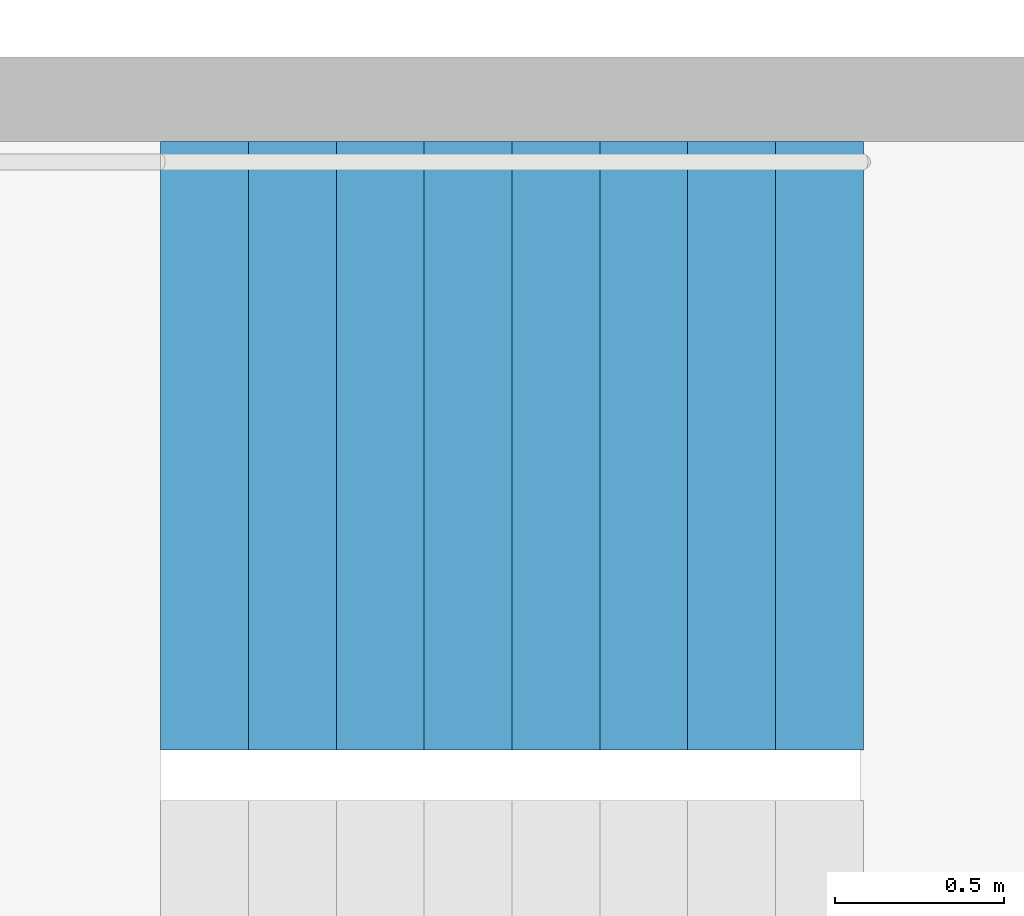
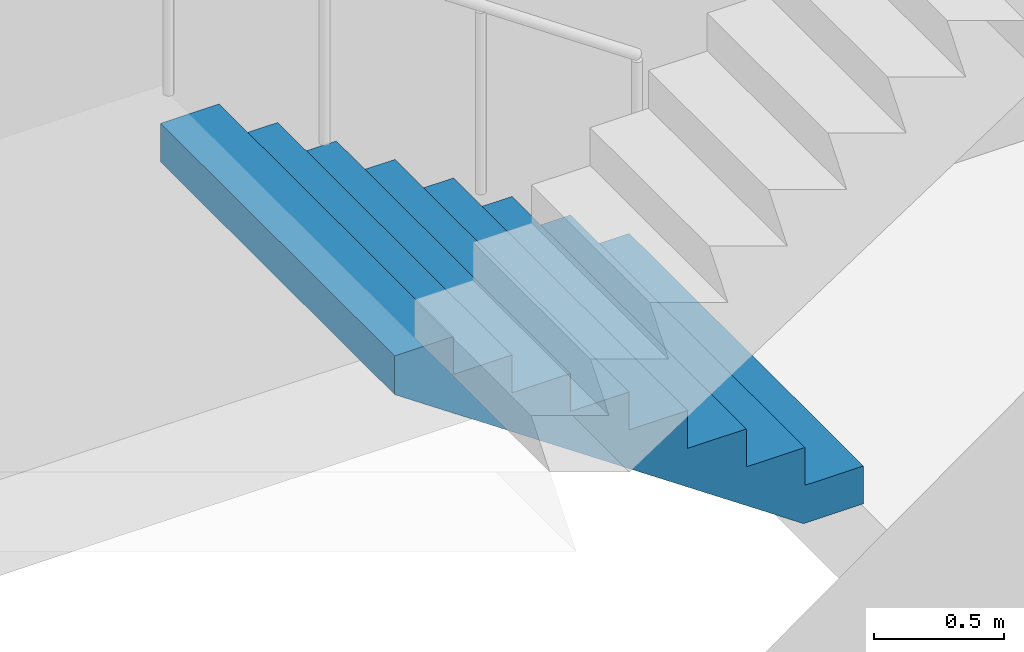
# One storey, part 20 of 27: 1 stair flight, 1 element without a shape of its own.
"""IFC4 building model written with IfcOpenShell, lengths in metres."""

from ifc_helpers import new_model, si_unit, direction, frame, origin, place, context, subcontext, project, spatial, triangles, material, type_object, element, aggregate, save


model = new_model("IFC4")

# Units and contexts
model_context = context("Model", 3, precision=1e-05, world=origin(), true_north=direction((0.0, 1.0)))
body_context = subcontext(model_context, "Body", "Model", "MODEL_VIEW")
ifc_project = project(units=[si_unit("LENGTHUNIT", "METRE"), si_unit("AREAUNIT", "SQUARE_METRE"), si_unit("VOLUMEUNIT", "CUBIC_METRE"), si_unit("PLANEANGLEUNIT", "RADIAN"), si_unit("MASSUNIT", "GRAM", prefix="KILO")], contexts=[model_context])

# Site, building, storey
site_placement = place(None, origin())
site = spatial("IfcSite", under=ifc_project, at=site_placement, CompositionType="ELEMENT")
building_placement = place(site_placement, origin())
building = spatial("IfcBuilding", under=site, at=building_placement, Name="Hakoniwa Tower and Hamabe Station Hall", CompositionType="ELEMENT")
storey_placement = place(building_placement, frame((0.0, 0.0, 239.0)))
storey = spatial("IfcBuildingStorey", under=building, at=storey_placement, Name="L67", CompositionType="ELEMENT", Elevation=239.0)

# Stair, stair flight
ifc_material_1 = material(Name="Concrete C40", Category="concrete")
stair_type = type_object("IfcStairType", Name="ESCAPE STAIR 1800", PredefinedType="HALF_TURN_STAIR", material=ifc_material_1)
stair_placement = place(storey_placement, origin())
stair = element("IfcStair", 1, at=stair_placement, inside=storey, type_object=stair_type, Name="Escape stair ST-2 L67", PredefinedType="HALF_TURN_STAIR")
ifc_material_2 = material(Name="Concrete C40", Category="concrete")
stair_flight_type = type_object("IfcStairFlightType", Name="STAIR FLIGHT 1800", PredefinedType="STRAIGHT", material=ifc_material_2)
stair_flight_placement = place(storey_placement, frame((-23.39990234375, -4.64990234375, 0.0), z_axis=(0.0, 0.0, 1.0), x_axis=(-1.0, 0.0, 0.0)))
stair_flight = element("IfcStairFlight", 2, at=stair_flight_placement, type_object=stair_flight_type, Name="ST-2 flight 1", NumberOfRisers=9, NumberOfTreads=8, PredefinedType="STRAIGHT", RiserHeight=0.177777778, TreadLength=0.26, context=body_context, shape_type="Tessellation", body=[
    triangles([(0.0, 0.89990234375, 0.0), (0.260009765625, 0.89990234375, 0.0), (0.265625, 0.89990234375, 0.0), (0.52001953125, 0.89990234375, 0.174072265625), (0.780029296875, 0.89990234375, 0.351806640625), (1.0400390625, 0.89990234375, 0.529541015625), (1.300048828125, 0.89990234375, 0.707275390625), (1.56005859375, 0.89990234375, 0.885009765625), (1.820068359375, 0.89990234375, 1.062744140625), (2.080078125, 0.89990234375, 1.24072265625), (2.080078125, 0.89990234375, 1.422119140625), (1.820068359375, 0.89990234375, 1.422119140625), (1.820068359375, 0.89990234375, 1.244384765625), (1.56005859375, 0.89990234375, 1.244384765625), (1.56005859375, 0.89990234375, 1.066650390625), (1.300048828125, 0.89990234375, 1.066650390625), (1.300048828125, 0.89990234375, 0.888916015625), (1.0400390625, 0.89990234375, 0.888916015625), (1.0400390625, 0.89990234375, 0.711181640625), (0.780029296875, 0.89990234375, 0.711181640625), (0.780029296875, 0.89990234375, 0.533447265625), (0.52001953125, 0.89990234375, 0.533447265625), (0.52001953125, 0.89990234375, 0.35546875), (0.265625, 0.89990234375, 0.35546875), (0.260009765625, 0.89990234375, 0.35546875), (0.260009765625, 0.89990234375, 0.177734375), (0.0, 0.89990234375, 0.177734375), (0.0, 0.06005859375, 0.0), (0.260009765625, 0.06005859375, 0.0), (0.265625, 0.06005859375, 0.0), (0.52001953125, 0.06005859375, 0.174072265625), (0.780029296875, 0.06005859375, 0.351806640625), (1.0400390625, 0.06005859375, 0.529541015625), (1.300048828125, 0.06005859375, 0.707275390625), (1.56005859375, 0.06005859375, 0.885009765625), (1.820068359375, 0.06005859375, 1.062744140625), (2.080078125, 0.06005859375, 1.24072265625), (2.080078125, 0.06005859375, 1.422119140625), (1.820068359375, 0.06005859375, 1.422119140625), (1.820068359375, 0.06005859375, 1.244384765625), (1.56005859375, 0.06005859375, 1.244384765625), (1.56005859375, 0.06005859375, 1.066650390625), (1.300048828125, 0.06005859375, 1.066650390625), (1.300048828125, 0.06005859375, 0.888916015625), (1.0400390625, 0.06005859375, 0.888916015625), (1.0400390625, 0.06005859375, 0.711181640625), (0.780029296875, 0.06005859375, 0.711181640625), (0.780029296875, 0.06005859375, 0.533447265625), (0.52001953125, 0.06005859375, 0.533447265625), (0.52001953125, 0.06005859375, 0.35546875), (0.265625, 0.06005859375, 0.35546875), (0.260009765625, 0.06005859375, 0.35546875), (0.260009765625, 0.06005859375, 0.177734375), (0.0, 0.06005859375, 0.177734375), (0.0, 0.04296875, 0.0), (0.260009765625, 0.04296875, 0.0), (0.265625, 0.04296875, 0.0), (0.52001953125, 0.04296875, 0.174072265625), (0.780029296875, 0.04296875, 0.351806640625), (1.0400390625, 0.04296875, 0.529541015625), (1.300048828125, 0.04296875, 0.707275390625), (1.56005859375, 0.04296875, 0.885009765625), (1.820068359375, 0.04296875, 1.062744140625), (2.080078125, 0.04296875, 1.24072265625), (2.080078125, 0.04296875, 1.422119140625), (1.820068359375, 0.04296875, 1.422119140625), (1.820068359375, 0.04296875, 1.244384765625), (1.56005859375, 0.04296875, 1.244384765625), (1.56005859375, 0.04296875, 1.066650390625), (1.300048828125, 0.04296875, 1.066650390625), (1.300048828125, 0.04296875, 0.888916015625), (1.0400390625, 0.04296875, 0.888916015625), (1.0400390625, 0.04296875, 0.711181640625), (0.780029296875, 0.04296875, 0.711181640625), (0.780029296875, 0.04296875, 0.533447265625), (0.52001953125, 0.04296875, 0.533447265625), (0.52001953125, 0.04296875, 0.35546875), (0.265625, 0.04296875, 0.35546875), (0.260009765625, 0.04296875, 0.35546875), (0.260009765625, 0.04296875, 0.177734375), (0.0, 0.04296875, 0.177734375), (0.0, 0.025634765625, 0.0), (0.260009765625, 0.025634765625, 0.0), (0.265625, 0.025634765625, 0.0), (0.52001953125, 0.025634765625, 0.174072265625), (0.780029296875, 0.025634765625, 0.351806640625), (1.0400390625, 0.025634765625, 0.529541015625), (1.300048828125, 0.025634765625, 0.707275390625), (1.56005859375, 0.025634765625, 0.885009765625), (1.820068359375, 0.025634765625, 1.062744140625), (2.080078125, 0.025634765625, 1.24072265625), (2.080078125, 0.025634765625, 1.422119140625), (1.820068359375, 0.025634765625, 1.422119140625), (1.820068359375, 0.025634765625, 1.244384765625), (1.56005859375, 0.025634765625, 1.244384765625), (1.56005859375, 0.025634765625, 1.066650390625), (1.300048828125, 0.025634765625, 1.066650390625), (1.300048828125, 0.025634765625, 0.888916015625), (1.0400390625, 0.025634765625, 0.888916015625), (1.0400390625, 0.025634765625, 0.711181640625), (0.780029296875, 0.025634765625, 0.711181640625), (0.780029296875, 0.025634765625, 0.533447265625), (0.52001953125, 0.025634765625, 0.533447265625), (0.52001953125, 0.025634765625, 0.35546875), (0.265625, 0.025634765625, 0.35546875), (0.260009765625, 0.025634765625, 0.35546875), (0.260009765625, 0.025634765625, 0.177734375), (0.0, 0.025634765625, 0.177734375), (0.0, 0.008544921875, 0.0), (0.260009765625, 0.008544921875, 0.0), (0.265625, 0.008544921875, 0.0), (0.52001953125, 0.008544921875, 0.174072265625), (0.780029296875, 0.008544921875, 0.351806640625), (1.0400390625, 0.008544921875, 0.529541015625), (1.300048828125, 0.008544921875, 0.707275390625), (1.56005859375, 0.008544921875, 0.885009765625), (1.820068359375, 0.008544921875, 1.062744140625), (2.080078125, 0.008544921875, 1.24072265625), (2.080078125, 0.008544921875, 1.422119140625), (1.820068359375, 0.008544921875, 1.422119140625), (1.820068359375, 0.008544921875, 1.244384765625), (1.56005859375, 0.008544921875, 1.244384765625), (1.56005859375, 0.008544921875, 1.066650390625), (1.300048828125, 0.008544921875, 1.066650390625), (1.300048828125, 0.008544921875, 0.888916015625), (1.0400390625, 0.008544921875, 0.888916015625), (1.0400390625, 0.008544921875, 0.711181640625), (0.780029296875, 0.008544921875, 0.711181640625), (0.780029296875, 0.008544921875, 0.533447265625), (0.52001953125, 0.008544921875, 0.533447265625), (0.52001953125, 0.008544921875, 0.35546875), (0.265625, 0.008544921875, 0.35546875), (0.260009765625, 0.008544921875, 0.35546875), (0.260009765625, 0.008544921875, 0.177734375), (0.0, 0.008544921875, 0.177734375), (0.0, -0.008544921875, 0.0), (0.260009765625, -0.008544921875, 0.0), (0.265625, -0.008544921875, 0.0), (0.52001953125, -0.008544921875, 0.174072265625), (0.780029296875, -0.008544921875, 0.351806640625), (1.0400390625, -0.008544921875, 0.529541015625), (1.300048828125, -0.008544921875, 0.707275390625), (1.56005859375, -0.008544921875, 0.885009765625), (1.820068359375, -0.008544921875, 1.062744140625), (2.080078125, -0.008544921875, 1.24072265625), (2.080078125, -0.008544921875, 1.422119140625), (1.820068359375, -0.008544921875, 1.422119140625), (1.820068359375, -0.008544921875, 1.244384765625), (1.56005859375, -0.008544921875, 1.244384765625), (1.56005859375, -0.008544921875, 1.066650390625), (1.300048828125, -0.008544921875, 1.066650390625), (1.300048828125, -0.008544921875, 0.888916015625), (1.0400390625, -0.008544921875, 0.888916015625), (1.0400390625, -0.008544921875, 0.711181640625), (0.780029296875, -0.008544921875, 0.711181640625), (0.780029296875, -0.008544921875, 0.533447265625), (0.52001953125, -0.008544921875, 0.533447265625), (0.52001953125, -0.008544921875, 0.35546875), (0.265625, -0.008544921875, 0.35546875), (0.260009765625, -0.008544921875, 0.35546875), (0.260009765625, -0.008544921875, 0.177734375), (0.0, -0.008544921875, 0.177734375), (0.0, -0.025634765625, 0.0), (0.260009765625, -0.025634765625, 0.0), (0.265625, -0.025634765625, 0.0), (0.52001953125, -0.025634765625, 0.174072265625), (0.780029296875, -0.025634765625, 0.351806640625), (1.0400390625, -0.025634765625, 0.529541015625), (1.300048828125, -0.025634765625, 0.707275390625), (1.56005859375, -0.025634765625, 0.885009765625), (1.820068359375, -0.025634765625, 1.062744140625), (2.080078125, -0.025634765625, 1.24072265625), (2.080078125, -0.025634765625, 1.422119140625), (1.820068359375, -0.025634765625, 1.422119140625), (1.820068359375, -0.025634765625, 1.244384765625), (1.56005859375, -0.025634765625, 1.244384765625), (1.56005859375, -0.025634765625, 1.066650390625), (1.300048828125, -0.025634765625, 1.066650390625), (1.300048828125, -0.025634765625, 0.888916015625), (1.0400390625, -0.025634765625, 0.888916015625), (1.0400390625, -0.025634765625, 0.711181640625), (0.780029296875, -0.025634765625, 0.711181640625), (0.780029296875, -0.025634765625, 0.533447265625), (0.52001953125, -0.025634765625, 0.533447265625), (0.52001953125, -0.025634765625, 0.35546875), (0.265625, -0.025634765625, 0.35546875), (0.260009765625, -0.025634765625, 0.35546875), (0.260009765625, -0.025634765625, 0.177734375), (0.0, -0.025634765625, 0.177734375), (0.0, -0.04296875, 0.0), (0.260009765625, -0.04296875, 0.0), (0.265625, -0.04296875, 0.0), (0.52001953125, -0.04296875, 0.174072265625), (0.780029296875, -0.04296875, 0.351806640625), (1.0400390625, -0.04296875, 0.529541015625), (1.300048828125, -0.04296875, 0.707275390625), (1.56005859375, -0.04296875, 0.885009765625), (1.820068359375, -0.04296875, 1.062744140625), (2.080078125, -0.04296875, 1.24072265625), (2.080078125, -0.04296875, 1.422119140625), (1.820068359375, -0.04296875, 1.422119140625), (1.820068359375, -0.04296875, 1.244384765625), (1.56005859375, -0.04296875, 1.244384765625), (1.56005859375, -0.04296875, 1.066650390625), (1.300048828125, -0.04296875, 1.066650390625), (1.300048828125, -0.04296875, 0.888916015625), (1.0400390625, -0.04296875, 0.888916015625), (1.0400390625, -0.04296875, 0.711181640625), (0.780029296875, -0.04296875, 0.711181640625), (0.780029296875, -0.04296875, 0.533447265625), (0.52001953125, -0.04296875, 0.533447265625), (0.52001953125, -0.04296875, 0.35546875), (0.265625, -0.04296875, 0.35546875), (0.260009765625, -0.04296875, 0.35546875), (0.260009765625, -0.04296875, 0.177734375), (0.0, -0.04296875, 0.177734375), (0.0, -0.06005859375, 0.0), (0.260009765625, -0.06005859375, 0.0), (0.265625, -0.06005859375, 0.0), (0.52001953125, -0.06005859375, 0.174072265625), (0.780029296875, -0.06005859375, 0.351806640625), (1.0400390625, -0.06005859375, 0.529541015625), (1.300048828125, -0.06005859375, 0.707275390625), (1.56005859375, -0.06005859375, 0.885009765625), (1.820068359375, -0.06005859375, 1.062744140625), (2.080078125, -0.06005859375, 1.24072265625), (2.080078125, -0.06005859375, 1.422119140625), (1.820068359375, -0.06005859375, 1.422119140625), (1.820068359375, -0.06005859375, 1.244384765625), (1.56005859375, -0.06005859375, 1.244384765625), (1.56005859375, -0.06005859375, 1.066650390625), (1.300048828125, -0.06005859375, 1.066650390625), (1.300048828125, -0.06005859375, 0.888916015625), (1.0400390625, -0.06005859375, 0.888916015625), (1.0400390625, -0.06005859375, 0.711181640625), (0.780029296875, -0.06005859375, 0.711181640625), (0.780029296875, -0.06005859375, 0.533447265625), (0.52001953125, -0.06005859375, 0.533447265625), (0.52001953125, -0.06005859375, 0.35546875), (0.265625, -0.06005859375, 0.35546875), (0.260009765625, -0.06005859375, 0.35546875), (0.260009765625, -0.06005859375, 0.177734375), (0.0, -0.06005859375, 0.177734375), (0.0, -0.89990234375, 0.0), (0.260009765625, -0.89990234375, 0.0), (0.265625, -0.89990234375, 0.0), (0.52001953125, -0.89990234375, 0.174072265625), (0.780029296875, -0.89990234375, 0.351806640625), (1.0400390625, -0.89990234375, 0.529541015625), (1.300048828125, -0.89990234375, 0.707275390625), (1.56005859375, -0.89990234375, 0.885009765625), (1.820068359375, -0.89990234375, 1.062744140625), (2.080078125, -0.89990234375, 1.24072265625), (2.080078125, -0.89990234375, 1.422119140625), (1.820068359375, -0.89990234375, 1.422119140625), (1.820068359375, -0.89990234375, 1.244384765625), (1.56005859375, -0.89990234375, 1.244384765625), (1.56005859375, -0.89990234375, 1.066650390625), (1.300048828125, -0.89990234375, 1.066650390625), (1.300048828125, -0.89990234375, 0.888916015625), (1.0400390625, -0.89990234375, 0.888916015625), (1.0400390625, -0.89990234375, 0.711181640625), (0.780029296875, -0.89990234375, 0.711181640625), (0.780029296875, -0.89990234375, 0.533447265625), (0.52001953125, -0.89990234375, 0.533447265625), (0.52001953125, -0.89990234375, 0.35546875), (0.265625, -0.89990234375, 0.35546875), (0.260009765625, -0.89990234375, 0.35546875), (0.260009765625, -0.89990234375, 0.177734375), (0.0, -0.89990234375, 0.177734375)], [[2, 27, 26], [245, 269, 270], [2, 1, 27], [245, 270, 244], [3, 25, 24], [246, 267, 268], [3, 26, 25], [246, 268, 269], [3, 2, 26], [246, 269, 245], [4, 24, 23], [247, 266, 267], [4, 3, 24], [247, 267, 246], [5, 22, 21], [248, 264, 265], [5, 23, 22], [248, 265, 266], [5, 4, 23], [248, 266, 247], [6, 20, 19], [249, 262, 263], [6, 21, 20], [249, 263, 264], [6, 5, 21], [249, 264, 248], [7, 18, 17], [250, 260, 261], [7, 19, 18], [250, 261, 262], [7, 6, 19], [250, 262, 249], [8, 16, 15], [251, 258, 259], [8, 17, 16], [251, 259, 260], [8, 7, 17], [251, 260, 250], [9, 14, 13], [252, 256, 257], [9, 15, 14], [252, 257, 258], [9, 8, 15], [252, 258, 251], [10, 12, 11], [253, 254, 255], [10, 13, 12], [253, 255, 256], [10, 9, 13], [253, 256, 252], [1, 2, 29], [1, 29, 28], [28, 29, 56], [28, 56, 55], [55, 56, 83], [55, 83, 82], [82, 83, 110], [82, 110, 109], [109, 110, 137], [109, 137, 136], [136, 137, 164], [136, 164, 163], [163, 164, 191], [163, 191, 190], [190, 191, 218], [190, 218, 217], [217, 218, 245], [217, 245, 244], [2, 3, 30], [2, 30, 29], [29, 30, 57], [29, 57, 56], [56, 57, 84], [56, 84, 83], [83, 84, 111], [83, 111, 110], [110, 111, 138], [110, 138, 137], [137, 138, 165], [137, 165, 164], [164, 165, 192], [164, 192, 191], [191, 192, 219], [191, 219, 218], [218, 219, 246], [218, 246, 245], [3, 4, 31], [3, 31, 30], [30, 31, 58], [30, 58, 57], [57, 58, 85], [57, 85, 84], [84, 85, 112], [84, 112, 111], [111, 112, 139], [111, 139, 138], [138, 139, 166], [138, 166, 165], [165, 166, 193], [165, 193, 192], [192, 193, 220], [192, 220, 219], [219, 220, 247], [219, 247, 246], [4, 5, 32], [4, 32, 31], [31, 32, 59], [31, 59, 58], [58, 59, 86], [58, 86, 85], [85, 86, 113], [85, 113, 112], [112, 113, 140], [112, 140, 139], [139, 140, 167], [139, 167, 166], [166, 167, 194], [166, 194, 193], [193, 194, 221], [193, 221, 220], [220, 221, 248], [220, 248, 247], [5, 6, 33], [5, 33, 32], [32, 33, 60], [32, 60, 59], [59, 60, 87], [59, 87, 86], [86, 87, 114], [86, 114, 113], [113, 114, 141], [113, 141, 140], [140, 141, 168], [140, 168, 167], [167, 168, 195], [167, 195, 194], [194, 195, 222], [194, 222, 221], [221, 222, 249], [221, 249, 248], [6, 7, 34], [6, 34, 33], [33, 34, 61], [33, 61, 60], [60, 61, 88], [60, 88, 87], [87, 88, 115], [87, 115, 114], [114, 115, 142], [114, 142, 141], [141, 142, 169], [141, 169, 168], [168, 169, 196], [168, 196, 195], [195, 196, 223], [195, 223, 222], [222, 223, 250], [222, 250, 249], [7, 8, 35], [7, 35, 34], [34, 35, 62], [34, 62, 61], [61, 62, 89], [61, 89, 88], [88, 89, 116], [88, 116, 115], [115, 116, 143], [115, 143, 142], [142, 143, 170], [142, 170, 169], [169, 170, 197], [169, 197, 196], [196, 197, 224], [196, 224, 223], [223, 224, 251], [223, 251, 250], [8, 9, 36], [8, 36, 35], [35, 36, 63], [35, 63, 62], [62, 63, 90], [62, 90, 89], [89, 90, 117], [89, 117, 116], [116, 117, 144], [116, 144, 143], [143, 144, 171], [143, 171, 170], [170, 171, 198], [170, 198, 197], [197, 198, 225], [197, 225, 224], [224, 225, 252], [224, 252, 251], [9, 10, 37], [9, 37, 36], [36, 37, 64], [36, 64, 63], [63, 64, 91], [63, 91, 90], [90, 91, 118], [90, 118, 117], [117, 118, 145], [117, 145, 144], [144, 145, 172], [144, 172, 171], [171, 172, 199], [171, 199, 198], [198, 199, 226], [198, 226, 225], [225, 226, 253], [225, 253, 252], [10, 11, 38], [10, 38, 37], [37, 38, 65], [37, 65, 64], [64, 65, 92], [64, 92, 91], [91, 92, 119], [91, 119, 118], [118, 119, 146], [118, 146, 145], [145, 146, 173], [145, 173, 172], [172, 173, 200], [172, 200, 199], [199, 200, 227], [199, 227, 226], [226, 227, 254], [226, 254, 253], [11, 12, 39], [11, 39, 38], [38, 39, 66], [38, 66, 65], [65, 66, 93], [65, 93, 92], [92, 93, 120], [92, 120, 119], [119, 120, 147], [119, 147, 146], [146, 147, 174], [146, 174, 173], [173, 174, 201], [173, 201, 200], [200, 201, 228], [200, 228, 227], [227, 228, 255], [227, 255, 254], [12, 13, 40], [12, 40, 39], [39, 40, 67], [39, 67, 66], [66, 67, 94], [66, 94, 93], [93, 94, 121], [93, 121, 120], [120, 121, 148], [120, 148, 147], [147, 148, 175], [147, 175, 174], [174, 175, 202], [174, 202, 201], [201, 202, 229], [201, 229, 228], [228, 229, 256], [228, 256, 255], [13, 14, 41], [13, 41, 40], [40, 41, 68], [40, 68, 67], [67, 68, 95], [67, 95, 94], [94, 95, 122], [94, 122, 121], [121, 122, 149], [121, 149, 148], [148, 149, 176], [148, 176, 175], [175, 176, 203], [175, 203, 202], [202, 203, 230], [202, 230, 229], [229, 230, 257], [229, 257, 256], [14, 15, 42], [14, 42, 41], [41, 42, 69], [41, 69, 68], [68, 69, 96], [68, 96, 95], [95, 96, 123], [95, 123, 122], [122, 123, 150], [122, 150, 149], [149, 150, 177], [149, 177, 176], [176, 177, 204], [176, 204, 203], [203, 204, 231], [203, 231, 230], [230, 231, 258], [230, 258, 257], [15, 16, 43], [15, 43, 42], [42, 43, 70], [42, 70, 69], [69, 70, 97], [69, 97, 96], [96, 97, 124], [96, 124, 123], [123, 124, 151], [123, 151, 150], [150, 151, 178], [150, 178, 177], [177, 178, 205], [177, 205, 204], [204, 205, 232], [204, 232, 231], [231, 232, 259], [231, 259, 258], [16, 17, 44], [16, 44, 43], [43, 44, 71], [43, 71, 70], [70, 71, 98], [70, 98, 97], [97, 98, 125], [97, 125, 124], [124, 125, 152], [124, 152, 151], [151, 152, 179], [151, 179, 178], [178, 179, 206], [178, 206, 205], [205, 206, 233], [205, 233, 232], [232, 233, 260], [232, 260, 259], [17, 18, 45], [17, 45, 44], [44, 45, 72], [44, 72, 71], [71, 72, 99], [71, 99, 98], [98, 99, 126], [98, 126, 125], [125, 126, 153], [125, 153, 152], [152, 153, 180], [152, 180, 179], [179, 180, 207], [179, 207, 206], [206, 207, 234], [206, 234, 233], [233, 234, 261], [233, 261, 260], [18, 19, 46], [18, 46, 45], [45, 46, 73], [45, 73, 72], [72, 73, 100], [72, 100, 99], [99, 100, 127], [99, 127, 126], [126, 127, 154], [126, 154, 153], [153, 154, 181], [153, 181, 180], [180, 181, 208], [180, 208, 207], [207, 208, 235], [207, 235, 234], [234, 235, 262], [234, 262, 261], [19, 20, 47], [19, 47, 46], [46, 47, 74], [46, 74, 73], [73, 74, 101], [73, 101, 100], [100, 101, 128], [100, 128, 127], [127, 128, 155], [127, 155, 154], [154, 155, 182], [154, 182, 181], [181, 182, 209], [181, 209, 208], [208, 209, 236], [208, 236, 235], [235, 236, 263], [235, 263, 262], [20, 21, 48], [20, 48, 47], [47, 48, 75], [47, 75, 74], [74, 75, 102], [74, 102, 101], [101, 102, 129], [101, 129, 128], [128, 129, 156], [128, 156, 155], [155, 156, 183], [155, 183, 182], [182, 183, 210], [182, 210, 209], [209, 210, 237], [209, 237, 236], [236, 237, 264], [236, 264, 263], [21, 22, 49], [21, 49, 48], [48, 49, 76], [48, 76, 75], [75, 76, 103], [75, 103, 102], [102, 103, 130], [102, 130, 129], [129, 130, 157], [129, 157, 156], [156, 157, 184], [156, 184, 183], [183, 184, 211], [183, 211, 210], [210, 211, 238], [210, 238, 237], [237, 238, 265], [237, 265, 264], [22, 23, 50], [22, 50, 49], [49, 50, 77], [49, 77, 76], [76, 77, 104], [76, 104, 103], [103, 104, 131], [103, 131, 130], [130, 131, 158], [130, 158, 157], [157, 158, 185], [157, 185, 184], [184, 185, 212], [184, 212, 211], [211, 212, 239], [211, 239, 238], [238, 239, 266], [238, 266, 265], [23, 24, 51], [23, 51, 50], [50, 51, 78], [50, 78, 77], [77, 78, 105], [77, 105, 104], [104, 105, 132], [104, 132, 131], [131, 132, 159], [131, 159, 158], [158, 159, 186], [158, 186, 185], [185, 186, 213], [185, 213, 212], [212, 213, 240], [212, 240, 239], [239, 240, 267], [239, 267, 266], [24, 25, 52], [24, 52, 51], [51, 52, 79], [51, 79, 78], [78, 79, 106], [78, 106, 105], [105, 106, 133], [105, 133, 132], [132, 133, 160], [132, 160, 159], [159, 160, 187], [159, 187, 186], [186, 187, 214], [186, 214, 213], [213, 214, 241], [213, 241, 240], [240, 241, 268], [240, 268, 267], [25, 26, 53], [25, 53, 52], [52, 53, 80], [52, 80, 79], [79, 80, 107], [79, 107, 106], [106, 107, 134], [106, 134, 133], [133, 134, 161], [133, 161, 160], [160, 161, 188], [160, 188, 187], [187, 188, 215], [187, 215, 214], [214, 215, 242], [214, 242, 241], [241, 242, 269], [241, 269, 268], [26, 27, 54], [26, 54, 53], [53, 54, 81], [53, 81, 80], [80, 81, 108], [80, 108, 107], [107, 108, 135], [107, 135, 134], [134, 135, 162], [134, 162, 161], [161, 162, 189], [161, 189, 188], [188, 189, 216], [188, 216, 215], [215, 216, 243], [215, 243, 242], [242, 243, 270], [242, 270, 269], [27, 1, 28], [27, 28, 54], [54, 28, 55], [54, 55, 81], [81, 55, 82], [81, 82, 108], [108, 82, 109], [108, 109, 135], [135, 109, 136], [135, 136, 162], [162, 136, 163], [162, 163, 189], [189, 163, 190], [189, 190, 216], [216, 190, 217], [216, 217, 243], [243, 217, 244], [243, 244, 270]], closed=True),
])
aggregate(stair, [stair_flight])

save(model, "model.ifc")
